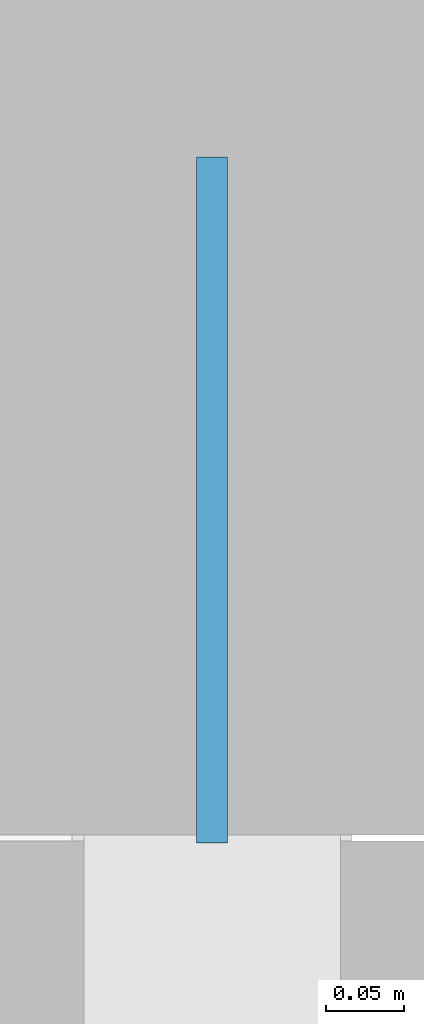
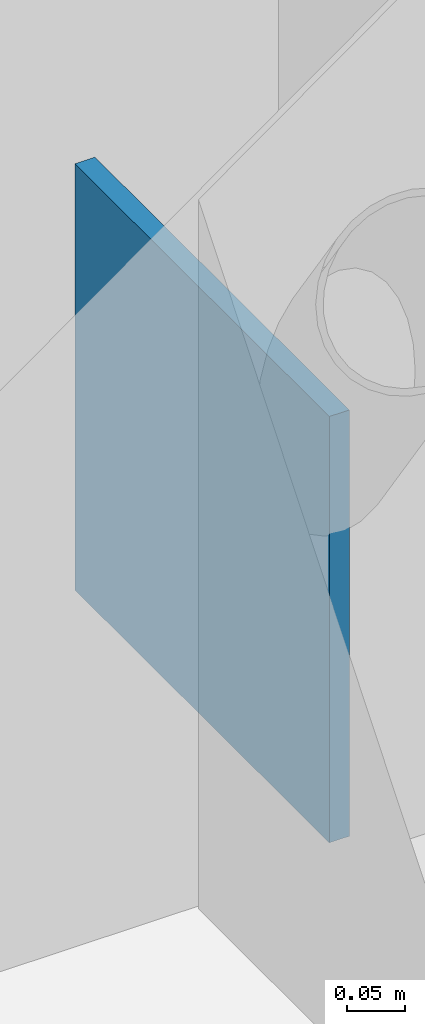
# One storey, part 58 of 76: 1 discrete accessory.
"""IFC4 building model written with IfcOpenShell, lengths in metres."""

from ifc_helpers import new_model, si_unit, direction, frame, origin, origin_2d, place, context, subcontext, project, spatial, rectangle, extrude, material, layer, layer_set, type_object, element, save


model = new_model("IFC4")

# Units and contexts
model_context = context("Model", 3, precision=1e-05, world=origin(), true_north=direction((0.0, 1.0)))
body_context = subcontext(model_context, "Body", "Model", "MODEL_VIEW")
ifc_project = project(units=[si_unit("LENGTHUNIT", "METRE"), si_unit("AREAUNIT", "SQUARE_METRE"), si_unit("VOLUMEUNIT", "CUBIC_METRE"), si_unit("PLANEANGLEUNIT", "RADIAN"), si_unit("MASSUNIT", "GRAM", prefix="KILO")], contexts=[model_context])

# Site, building, storey
site_placement = place(None, origin())
site = spatial("IfcSite", under=ifc_project, at=site_placement, CompositionType="ELEMENT")
building_placement = place(site_placement, origin())
building = spatial("IfcBuilding", under=site, at=building_placement, Name="Varnakota Square Police Headquarters", CompositionType="ELEMENT")
storey_placement = place(building_placement, origin())
storey = spatial("IfcBuildingStorey", under=building, at=storey_placement, Name="L00", CompositionType="ELEMENT", Elevation=0.0)

# Discrete accessory
ifc_material = material(Name="Steel IS 2062 Grade 350", Category="steel")
ifc_layer = layer(ifc_material, 0.64990234375, Name="Steel IS 2062 Grade 350")
ifc_layer_set = layer_set([ifc_layer], Name="Steel IS 2062 Grade 350")
discrete_accessory_type = type_object("IfcDiscreteAccessoryType", Name="ACC-EMB-350", PredefinedType="BRACKET", material=ifc_layer_set)
discrete_accessory_placement = place(storey_placement, frame((42.0, 32.840087890625, 0.02490234375), z_axis=(0.0, 0.0, 1.0), x_axis=(0.0, 1.0, 0.0)))
element("IfcDiscreteAccessory", 1, at=discrete_accessory_placement, inside=storey, type_object=discrete_accessory_type, Name="Brace gusset connection plate BF3 L00 R", PredefinedType="BRACKET", context=body_context, shape_type="SweptSolid", body=[
    extrude(rectangle(XDim=0.43994140625, YDim=0.02001953125, at=origin_2d()), origin(), (0.0, 0.0, 1.0), 0.449951171875),
])

save(model, "model.ifc")
